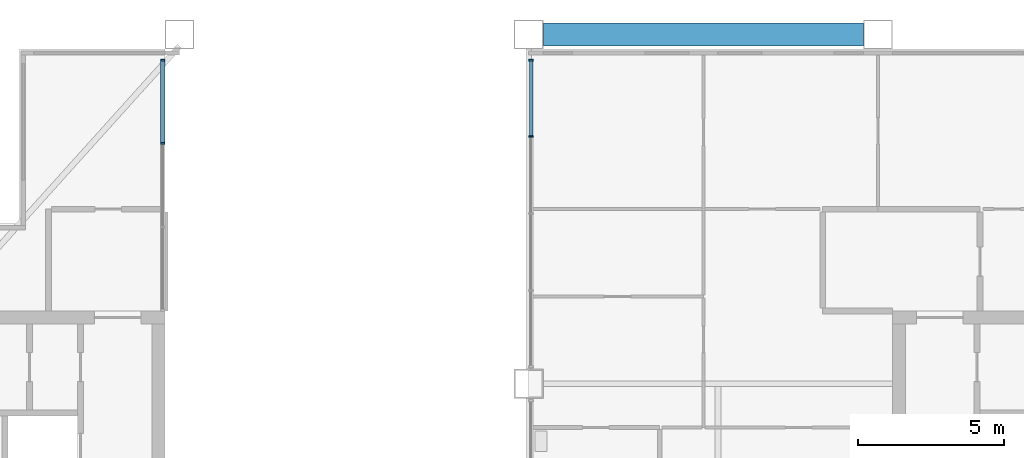
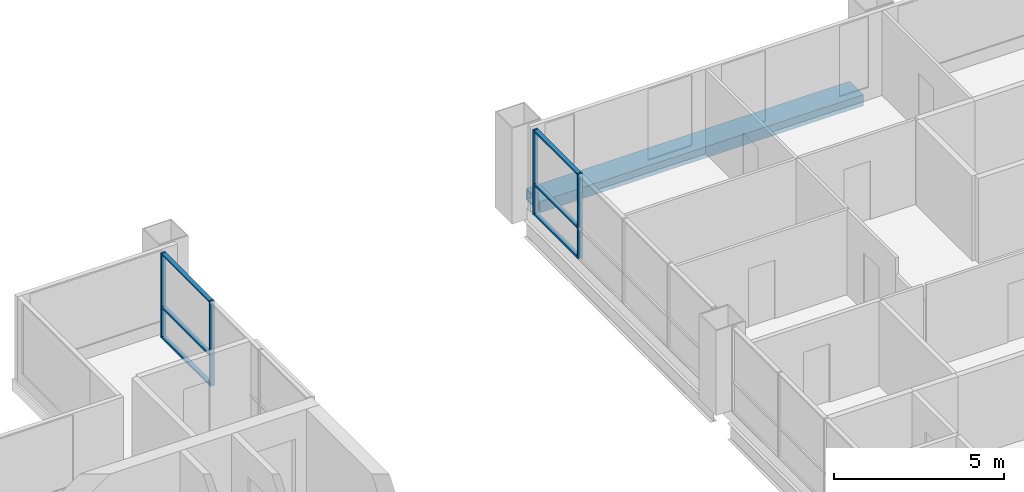
# One storey, part 5 of 13: 10 members, 1 beam, 2 elements without a shape of their own.
"""IFC4 building model written with IfcOpenShell, lengths in metres."""

from ifc_helpers import new_model, si_unit, direction, frame, origin, origin_2d, place, context, subcontext, project, spatial, rectangle, hollow_rectangle, extrude, material, material_profile, profile_set, type_object, element, aggregate, save


model = new_model("IFC4")

# Units and contexts
model_context = context("Model", 3, precision=1e-05, world=origin(), true_north=direction((0.0, 1.0)))
body_context = subcontext(model_context, "Body", "Model", "MODEL_VIEW")
ifc_project = project(units=[si_unit("LENGTHUNIT", "METRE"), si_unit("AREAUNIT", "SQUARE_METRE"), si_unit("VOLUMEUNIT", "CUBIC_METRE"), si_unit("PLANEANGLEUNIT", "RADIAN"), si_unit("MASSUNIT", "GRAM", prefix="KILO")], contexts=[model_context])

# Site, building, storey
site_placement = place(None, origin())
site = spatial("IfcSite", under=ifc_project, at=site_placement, CompositionType="ELEMENT")
building_placement = place(site_placement, origin())
building = spatial("IfcBuilding", under=site, at=building_placement, Name="Kitamizu Gate Tower and Museum", CompositionType="ELEMENT")
storey_placement = place(building_placement, frame((0.0, 0.0, 252.449951171875)))
storey = spatial("IfcBuildingStorey", under=building, at=storey_placement, Name="L68", CompositionType="ELEMENT", Elevation=252.449951171875)

# Beam
ifc_material_1 = material(Name="Steel SM490A bronze coated", Category="steel")
ifc_material_profile_1 = material_profile(ifc_material_1, hollow_rectangle(XDim=0.800048828125, YDim=0.39990234375, WallThickness=0.0400390625, at=origin_2d()), Name="BOX 800x400x40")
ifc_profile_set_1 = profile_set([ifc_material_profile_1], Name="Steel SM490A bronze coated")
beam_type = type_object("IfcBeamType", Name="Exoskeleton spandrel beam SB1 BOX 800x400x40", PredefinedType="SPANDREL", material=ifc_profile_set_1)
beam_placement = place(storey_placement, frame((36.5, 48.0, -0.199951171875), z_axis=(1.0, 0.0, 0.0), x_axis=(0.0, 1.0, 0.0)))
element("IfcBeam", 1, at=beam_placement, inside=storey, type_object=beam_type, Name="Exoskeleton spandrel beam north 36 L68", PredefinedType="SPANDREL", context=body_context, shape_type="SweptSolid", body=[
    extrude(hollow_rectangle(XDim=0.800048828125, YDim=0.39990234375, WallThickness=0.0400390625, at=origin_2d()), origin(), (0.0, 0.0, 1.0), 11.0),
])

# Curtain wall, members
ifc_material_2 = material(Name="Bronze anodised aluminium frame, tinted triple glazing", Category="aluminium")
curtain_wall_type = type_object("IfcCurtainWallType", Name="CURTAIN WALL TYPE C SKY AMENITY", PredefinedType="NOTDEFINED", material=ifc_material_2)
curtain_wall_1_placement = place(storey_placement, origin())
curtain_wall_1 = element("IfcCurtainWall", 2, at=curtain_wall_1_placement, inside=storey, type_object=curtain_wall_type, Name="Curtain wall CW-C portal W L68", PredefinedType="NOTDEFINED")
ifc_material_3 = material(Name="Bronze anodised aluminium", Category="aluminium")
ifc_material_profile_2 = material_profile(ifc_material_3, rectangle(XDim=0.06005859375, YDim=0.14990234375, at=origin_2d()), Name="AL 60X150")
ifc_profile_set_2 = profile_set([ifc_material_profile_2], Name="Bronze anodised aluminium")
member_type_1 = type_object("IfcMemberType", Name="MULLION 60 X 150 TYPE C", PredefinedType="MULLION", material=ifc_profile_set_2)
member_1_placement = place(storey_placement, frame((23.425048828125, 44.2666015625, 0.0), z_axis=(0.0, 0.0, 1.0), x_axis=(0.0, 1.0, 0.0)))
member_1 = element("IfcMember", 3, at=member_1_placement, type_object=member_type_1, Name="CW-C mullion 3", PredefinedType="MULLION", context=body_context, shape_type="SweptSolid", body=[
    extrude(rectangle(XDim=0.06005859375, YDim=0.14990234375, at=origin_2d()), origin(), (0.0, 0.0, 1.0), 3.050048828125),
])
member_2_placement = place(storey_placement, frame((23.425048828125, 47.1201171875, 0.0), z_axis=(0.0, 0.0, 1.0), x_axis=(0.0, 1.0, 0.0)))
member_2 = element("IfcMember", 4, at=member_2_placement, type_object=member_type_1, Name="CW-C mullion 4", PredefinedType="MULLION", context=body_context, shape_type="SweptSolid", body=[
    extrude(rectangle(XDim=0.06005859375, YDim=0.14990234375, at=origin_2d()), origin(), (0.0, 0.0, 1.0), 3.050048828125),
])

curtain_wall_2_placement = place(storey_placement, origin())
curtain_wall_2 = element("IfcCurtainWall", 5, at=curtain_wall_2_placement, inside=storey, type_object=curtain_wall_type, Name="Curtain wall CW-C portal E L68", PredefinedType="NOTDEFINED")
member_3_placement = place(storey_placement, frame((36.074951171875, 44.501220703125, 0.0), z_axis=(0.0, 0.0, 1.0), x_axis=(0.0, 1.0, 0.0)))
member_3 = element("IfcMember", 6, at=member_3_placement, type_object=member_type_1, Name="CW-C mullion 4", PredefinedType="MULLION", context=body_context, shape_type="SweptSolid", body=[
    extrude(rectangle(XDim=0.06005859375, YDim=0.14990234375, at=origin_2d()), origin(), (0.0, 0.0, 1.0), 3.050048828125),
])
member_4_placement = place(storey_placement, frame((36.074951171875, 47.1201171875, 0.0), z_axis=(0.0, 0.0, 1.0), x_axis=(0.0, 1.0, 0.0)))
member_4 = element("IfcMember", 7, at=member_4_placement, type_object=member_type_1, Name="CW-C mullion 5", PredefinedType="MULLION", context=body_context, shape_type="SweptSolid", body=[
    extrude(rectangle(XDim=0.06005859375, YDim=0.14990234375, at=origin_2d()), origin(), (0.0, 0.0, 1.0), 3.050048828125),
])

# Member
ifc_material_4 = material(Name="Bronze anodised aluminium", Category="aluminium")
ifc_material_profile_3 = material_profile(ifc_material_4, rectangle(XDim=0.139892578125, YDim=0.06005859375, at=origin_2d()), Name="AL 60X140")
ifc_profile_set_3 = profile_set([ifc_material_profile_3], Name="Bronze anodised aluminium")
member_type_2 = type_object("IfcMemberType", Name="TRANSOM 60 X 140 TYPE C", PredefinedType="USERDEFINED", material=ifc_profile_set_3)
member_5_placement = place(storey_placement, frame((23.425048828125, 44.296630859375, 0.030029296875), z_axis=(0.0, 1.0, 0.0), x_axis=(-1.0, 0.0, 0.0)))
member_5 = element("IfcMember", 8, at=member_5_placement, type_object=member_type_2, Name="CW-C transom 3.1", ObjectType="TRANSOM", PredefinedType="USERDEFINED", context=body_context, shape_type="SweptSolid", body=[
    extrude(rectangle(XDim=0.139892578125, YDim=0.06005859375, at=origin_2d()), origin(), (0.0, 0.0, 1.0), 2.79345703125),
])

member_6_placement = place(storey_placement, frame((23.425048828125, 44.296630859375, 1.10009765625), z_axis=(0.0, 1.0, 0.0), x_axis=(-1.0, 0.0, 0.0)))
member_6 = element("IfcMember", 9, at=member_6_placement, type_object=member_type_2, Name="CW-C transom 3.2", ObjectType="TRANSOM", PredefinedType="USERDEFINED", context=body_context, shape_type="SweptSolid", body=[
    extrude(rectangle(XDim=0.139892578125, YDim=0.06005859375, at=origin_2d()), origin(), (0.0, 0.0, 1.0), 2.79345703125),
])

member_7_placement = place(storey_placement, frame((23.425048828125, 44.296630859375, 3.02001953125), z_axis=(0.0, 1.0, 0.0), x_axis=(-1.0, 0.0, 0.0)))
member_7 = element("IfcMember", 10, at=member_7_placement, type_object=member_type_2, Name="CW-C transom 3.3", ObjectType="TRANSOM", PredefinedType="USERDEFINED", context=body_context, shape_type="SweptSolid", body=[
    extrude(rectangle(XDim=0.139892578125, YDim=0.06005859375, at=origin_2d()), origin(), (0.0, 0.0, 1.0), 2.79345703125),
])

aggregate(curtain_wall_1, [member_1, member_2, member_5, member_6, member_7])

member_8_placement = place(storey_placement, frame((36.074951171875, 44.53125, 0.030029296875), z_axis=(0.0, 1.0, 0.0), x_axis=(-1.0, 0.0, 0.0)))
member_8 = element("IfcMember", 11, at=member_8_placement, type_object=member_type_2, Name="CW-C transom 4.1", ObjectType="TRANSOM", PredefinedType="USERDEFINED", context=body_context, shape_type="SweptSolid", body=[
    extrude(rectangle(XDim=0.139892578125, YDim=0.06005859375, at=origin_2d()), origin(), (0.0, 0.0, 1.0), 2.558837890625),
])

member_9_placement = place(storey_placement, frame((36.074951171875, 44.53125, 1.10009765625), z_axis=(0.0, 1.0, 0.0), x_axis=(-1.0, 0.0, 0.0)))
member_9 = element("IfcMember", 12, at=member_9_placement, type_object=member_type_2, Name="CW-C transom 4.2", ObjectType="TRANSOM", PredefinedType="USERDEFINED", context=body_context, shape_type="SweptSolid", body=[
    extrude(rectangle(XDim=0.139892578125, YDim=0.06005859375, at=origin_2d()), origin(), (0.0, 0.0, 1.0), 2.558837890625),
])

member_10_placement = place(storey_placement, frame((36.074951171875, 44.53125, 3.02001953125), z_axis=(0.0, 1.0, 0.0), x_axis=(-1.0, 0.0, 0.0)))
member_10 = element("IfcMember", 13, at=member_10_placement, type_object=member_type_2, Name="CW-C transom 4.3", ObjectType="TRANSOM", PredefinedType="USERDEFINED", context=body_context, shape_type="SweptSolid", body=[
    extrude(rectangle(XDim=0.139892578125, YDim=0.06005859375, at=origin_2d()), origin(), (0.0, 0.0, 1.0), 2.558837890625),
])

aggregate(curtain_wall_2, [member_3, member_4, member_8, member_9, member_10])

save(model, "model.ifc")
